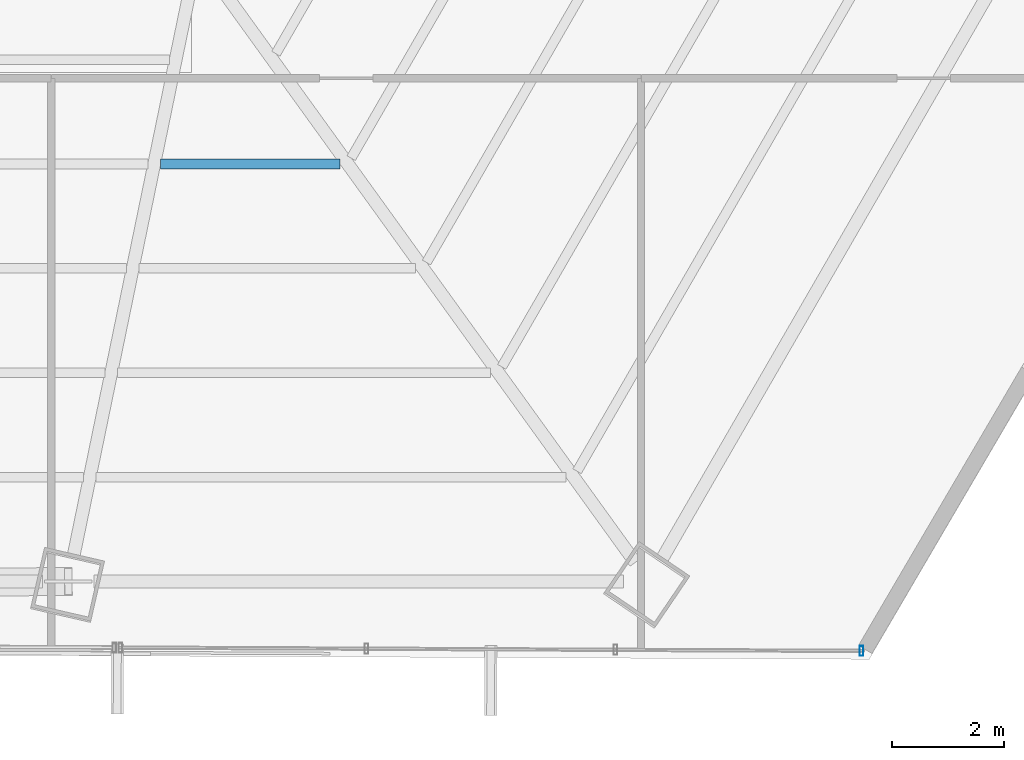
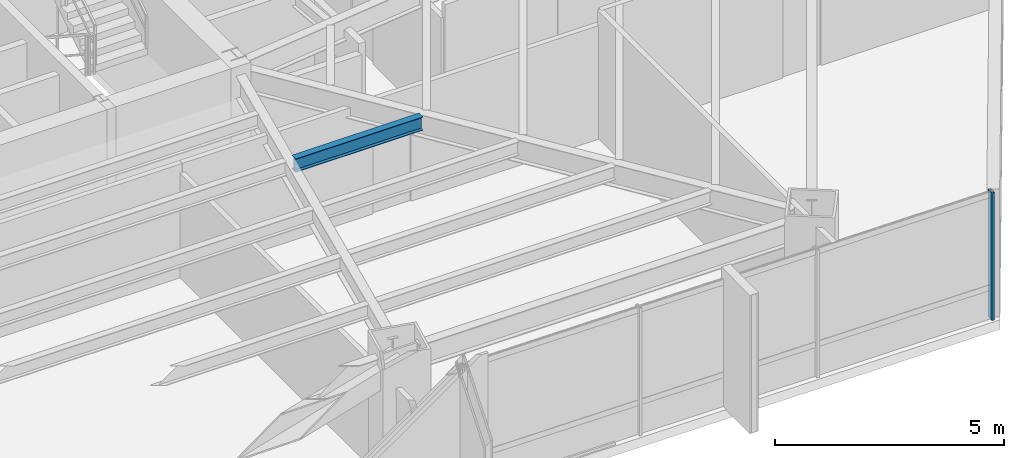
# One storey, part 18 of 35: 1 beam, 1 member, 1 element without a shape of its own.
"""IFC4 building model written with IfcOpenShell, lengths in metres."""

from ifc_helpers import new_model, si_unit, direction, frame, origin, origin_2d, place, context, subcontext, project, spatial, hollow_rectangle, i_section, extrude, source, transform, mapped, material, material_profile, profile_set, type_object, type_shapes, element, aggregate, save


model = new_model("IFC4")

# Units and contexts
model_context = context("Model", 3, precision=1e-05, world=origin(), true_north=direction((0.0, 1.0)))
body_context = subcontext(model_context, "Body", "Model", "MODEL_VIEW")
ifc_project = project(units=[si_unit("LENGTHUNIT", "METRE"), si_unit("AREAUNIT", "SQUARE_METRE"), si_unit("VOLUMEUNIT", "CUBIC_METRE"), si_unit("PLANEANGLEUNIT", "RADIAN"), si_unit("MASSUNIT", "GRAM", prefix="KILO")], contexts=[model_context])

# Site, building, storey
site_placement = place(None, origin())
site = spatial("IfcSite", under=ifc_project, at=site_placement, CompositionType="ELEMENT")
building_placement = place(site_placement, origin())
building = spatial("IfcBuilding", under=site, at=building_placement, Name="Caelisora Broadcast Tower", CompositionType="ELEMENT")
storey_placement = place(building_placement, frame((0.0, 0.0, 94.449951171875)))
storey = spatial("IfcBuildingStorey", under=building, at=storey_placement, Name="L24", CompositionType="ELEMENT", Elevation=94.449951171875)

# Beam
ifc_material_1 = material(Name="Steel Grade 350 (AS/NZS 3679.1)", Category="steel")
ifc_material_profile_1 = material_profile(ifc_material_1, i_section(OverallWidth=0.172119140625, OverallDepth=0.358642578125, WebThickness=0.008056640625, FlangeThickness=0.012939453125, at=origin_2d()), Name="Steel Grade 350 (AS/NZS 3679.1)")
ifc_profile_set_1 = profile_set([ifc_material_profile_1], Name="Steel Grade 350 (AS/NZS 3679.1)")
beam_type = type_object("IfcBeamType", Name="SB02", PredefinedType="JOIST", material=ifc_profile_set_1)
shared_shape_1 = source(origin(), body_context, "Body", "SweptSolid", [
    extrude(i_section(OverallWidth=0.172119140625, OverallDepth=0.358642578125, WebThickness=0.008056640625, FlangeThickness=0.012939453125, at=origin_2d()), origin(), (0.0, 0.0, 1.0), 3.211669921875),
])
type_shapes(beam_type, [shared_shape_1])
beam_placement = place(storey_placement, frame((44.8447265625, 13.66552734375, 3.220703125), z_axis=(1.0, 0.0, 0.0), x_axis=(0.0, 1.0, 0.0)))
element("IfcBeam", 1, at=beam_placement, inside=storey, type_object=beam_type, Name="L24 beam SB02", PredefinedType="JOIST", context=body_context, shape_type="MappedRepresentation", body=[
    mapped(shared_shape_1, transform((0.0, 0.0, 0.0), scale=1.0)),
])

# Curtain wall, member
ifc_material_2 = material(Name="Unitised Aluminium and Low-E Glass Curtain Wall", Category="glass")
curtain_wall_type = type_object("IfcCurtainWallType", Name="CW-Z2", PredefinedType="NOTDEFINED", material=ifc_material_2)
curtain_wall_placement = place(storey_placement, origin())
curtain_wall = element("IfcCurtainWall", 2, at=curtain_wall_placement, inside=storey, type_object=curtain_wall_type, Name="L24 curtain wall CW-Z2", PredefinedType="NOTDEFINED")
ifc_material_3 = material(Name="Aluminium 6063-T6 Anodised Terracotta Bronze", Category="aluminium")
ifc_material_profile_2 = material_profile(ifc_material_3, hollow_rectangle(XDim=0.06494140625, YDim=0.179931640625, WallThickness=0.00341796875, at=origin_2d()), Name="Aluminium 6063-T6 Anodised Terracotta Bronze")
ifc_profile_set_2 = profile_set([ifc_material_profile_2], Name="Aluminium 6063-T6 Anodised Terracotta Bronze")
member_type = type_object("IfcMemberType", Name="CWM-02", PredefinedType="MULLION", material=ifc_profile_set_2)
shared_shape_2 = source(origin(), body_context, "Body", "SweptSolid", [
    extrude(hollow_rectangle(XDim=0.06494140625, YDim=0.179931640625, WallThickness=0.00341796875, at=origin_2d()), origin(), (0.0, 0.0, 1.0), 3.400146484375),
])
type_shapes(member_type, [shared_shape_2])
member_placement = place(storey_placement, frame((57.385986328125, 4.9541015625, 0.0), z_axis=(0.0, 0.0, 1.0), x_axis=(1.0, 0.0, 0.0)))
member = element("IfcMember", 3, at=member_placement, type_object=member_type, Name="L24-CW-B05 mullion #0", PredefinedType="MULLION", context=body_context, shape_type="MappedRepresentation", body=[
    mapped(shared_shape_2, transform((0.0, 0.0, 0.0), scale=1.0)),
])
aggregate(curtain_wall, [member])

save(model, "model.ifc")
